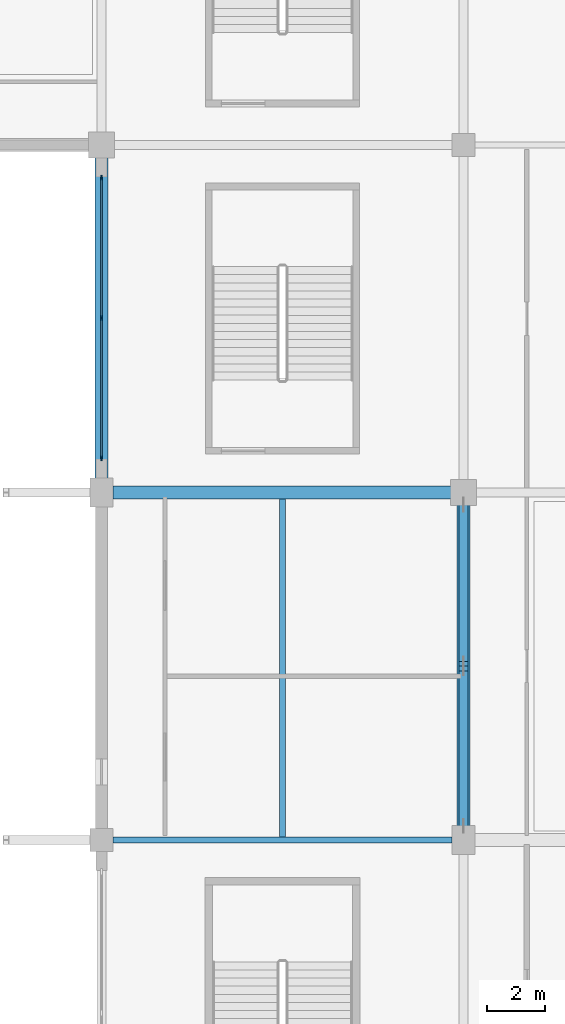
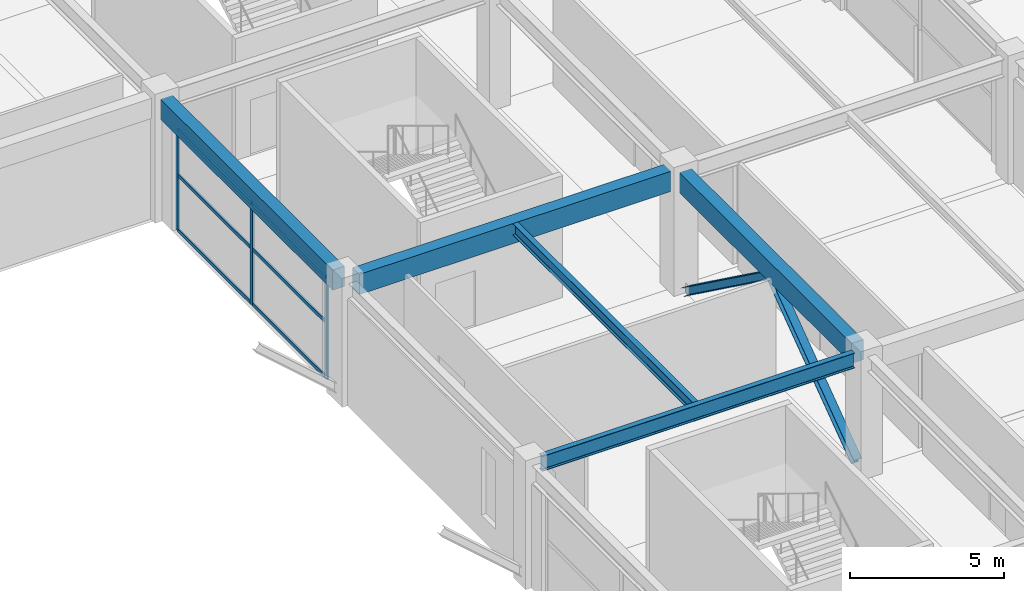
# One storey, part 40 of 116: 11 members, 5 beams, 1 element without a shape of its own.
"""IFC4 building model written with IfcOpenShell, lengths in metres."""

from ifc_helpers import new_model, si_unit, direction, frame, origin, origin_2d, place, context, subcontext, project, spatial, rectangle, i_section, extrude, material, layer, layer_set, material_profile, profile_set, type_object, element, aggregate, save


model = new_model("IFC4")

# Units and contexts
model_context = context("Model", 3, precision=1e-05, world=origin(), true_north=direction((0.0, 1.0)))
body_context = subcontext(model_context, "Body", "Model", "MODEL_VIEW")
ifc_project = project(units=[si_unit("LENGTHUNIT", "METRE"), si_unit("AREAUNIT", "SQUARE_METRE"), si_unit("VOLUMEUNIT", "CUBIC_METRE"), si_unit("PLANEANGLEUNIT", "RADIAN"), si_unit("MASSUNIT", "GRAM", prefix="KILO")], contexts=[model_context])

# Site, building, storey
site_placement = place(None, origin())
site = spatial("IfcSite", under=ifc_project, at=site_placement, CompositionType="ELEMENT")
building_placement = place(site_placement, origin())
building = spatial("IfcBuilding", under=site, at=building_placement, Name="Kazenohara Klinker Stadium", CompositionType="ELEMENT")
storey_placement = place(building_placement, frame((0.0, 0.0, 10.199951171875)))
storey = spatial("IfcBuildingStorey", under=building, at=storey_placement, Name="L02", CompositionType="ELEMENT", Elevation=10.199951171875)

# Beams
ifc_material_1 = material(Name="Steel S355", Category="steel")
ifc_material_profile_1 = material_profile(ifc_material_1, i_section(OverallWidth=0.199951171875, OverallDepth=0.449951171875, WebThickness=0.009033203125, FlangeThickness=0.013916015625, FilletRadius=0.012939453125, at=origin_2d()), Name="H-450x200x9x14")
ifc_profile_set_1 = profile_set([ifc_material_profile_1], Name="Steel S355")
beam_type_1 = type_object("IfcBeamType", Name="BM-JST02", PredefinedType="JOIST", material=ifc_profile_set_1)
beam_1_placement = place(storey_placement, frame((181.25, 108.10009765625, 4.594970703125), z_axis=(0.0, 1.0, 0.0), x_axis=(-1.0, 0.0, 0.0)))
element("IfcBeam", 1, at=beam_1_placement, inside=storey, type_object=beam_type_1, Name="Secondary floor joist SJ02 L02 15/K", PredefinedType="JOIST", context=body_context, shape_type="SweptSolid", body=[
    extrude(i_section(OverallWidth=0.199951171875, OverallDepth=0.449951171875, WebThickness=0.009033203125, FlangeThickness=0.013916015625, FilletRadius=0.012939453125, at=origin_2d()), origin(), (0.0, 0.0, 1.0), 11.6748046875),
])
ifc_material_2 = material(Name="Concrete C40/50", Category="concrete")
ifc_material_profile_2 = material_profile(ifc_material_2, rectangle(XDim=0.449951171875, YDim=0.800048828125, at=origin_2d()), Name="RC-BM-450x800")
ifc_profile_set_2 = profile_set([ifc_material_profile_2], Name="Concrete C40/50")
beam_type_2 = type_object("IfcBeamType", Name="BM-RC03", PredefinedType="BEAM", material=ifc_profile_set_2)
beam_2_placement = place(storey_placement, frame((175.39990234375, 120.0, 4.420166015625), z_axis=(1.0, 0.0, 0.0), x_axis=(0.0, 1.0, 0.0)))
element("IfcBeam", 2, at=beam_2_placement, inside=storey, type_object=beam_type_2, Name="Primary girder BG03 L02 15-16/L", PredefinedType="BEAM", context=body_context, shape_type="SweptSolid", body=[
    extrude(rectangle(XDim=0.449951171875, YDim=0.800048828125, at=origin_2d()), origin(), (0.0, 0.0, 1.0), 11.68017578125),
])
for number, where, z_axis, x_axis, name in (
    (3, (175.0, 120.419921875, 4.420166015625), (0.0, 1.0, 0.0), (-1.0, 0.0, 0.0), "Primary girder BG03 L02 15/L-M"),
    (4, (187.5, 108.419921875, 4.420166015625), (0.0, 1.0, 0.0), (-1.0, 0.0, 0.0), "Primary girder BG03 L02 16/K-L"),
):
    element("IfcBeam", number, at=place(storey_placement, frame(where, z_axis=z_axis, x_axis=x_axis)), inside=storey, type_object=beam_type_2, Name=name, PredefinedType="BEAM", context=body_context, shape_type="SweptSolid", body=[
        extrude(rectangle(XDim=0.449951171875, YDim=0.800048828125, at=origin_2d()), origin(), (0.0, 0.0, 1.0), 11.16015625),
    ])
ifc_material_profile_3 = material_profile(ifc_material_1, i_section(OverallWidth=0.199951171875, OverallDepth=0.60009765625, WebThickness=0.010986328125, FlangeThickness=0.01708984375, FilletRadius=0.012939453125, at=origin_2d()), Name="H-600x200x11x17")
ifc_profile_set_3 = profile_set([ifc_material_profile_3], Name="Steel S355")
beam_type_3 = type_object("IfcBeamType", Name="BM-ST04", PredefinedType="BEAM", material=ifc_profile_set_3)
beam_3_placement = place(storey_placement, frame((175.39990234375, 108.0, 4.52001953125), z_axis=(1.0, 0.0, 0.0), x_axis=(0.0, 1.0, 0.0)))
element("IfcBeam", 5, at=beam_3_placement, inside=storey, type_object=beam_type_3, Name="Primary girder SB04 L02 15-16/K", PredefinedType="BEAM", context=body_context, shape_type="SweptSolid", body=[
    extrude(i_section(OverallWidth=0.199951171875, OverallDepth=0.60009765625, WebThickness=0.010986328125, FlangeThickness=0.01708984375, FilletRadius=0.012939453125, at=origin_2d()), origin(), (0.0, 0.0, 1.0), 11.7001953125),
])

# Curtain wall, members
ifc_material_3 = material(Name="Anodised aluminium and triple glazing", Category="aluminium")
ifc_layer = layer(ifc_material_3, 0.179931640625)
ifc_layer_set = layer_set([ifc_layer], Name="Anodised aluminium and triple glazing")
curtain_wall_type = type_object("IfcCurtainWallType", Name="CW-SYS-02", PredefinedType="USERDEFINED", material=ifc_layer_set)
curtain_wall_placement = place(storey_placement, origin())
curtain_wall = element("IfcCurtainWall", 6, at=curtain_wall_placement, inside=storey, type_object=curtain_wall_type, Name="Unitised facade curtain wall CW02 L02 Y14-10", ObjectType="UNITISED CURTAIN WALL", PredefinedType="USERDEFINED")
ifc_material_4 = material(Name="Anodised aluminium 6063-T6", Category="aluminium")
ifc_material_profile_4 = material_profile(ifc_material_4, rectangle(XDim=0.06494140625, YDim=0.179931640625, at=origin_2d()), Name="ALU-MUL-65x180")
ifc_profile_set_4 = profile_set([ifc_material_profile_4], Name="Anodised aluminium 6063-T6")
member_type_1 = type_object("IfcMemberType", Name="CW-MUL-180", PredefinedType="MULLION", material=ifc_profile_set_4)
member_1_placement = place(storey_placement, frame((175.0, 121.1865234375, 0.0), z_axis=(0.0, 0.0, 1.0), x_axis=(-1.0, 0.0, 0.0)))
member_1 = element("IfcMember", 7, at=member_1_placement, type_object=member_type_1, Name="CW02 mullion 1", PredefinedType="MULLION", context=body_context, shape_type="SweptSolid", body=[
    extrude(rectangle(XDim=0.06494140625, YDim=0.179931640625, at=origin_2d()), origin(), (0.0, 0.0, 1.0), 4.02001953125),
])
member_2_placement = place(storey_placement, frame((175.0, 126.02490234375, 0.0), z_axis=(0.0, 0.0, 1.0), x_axis=(-1.0, 0.0, 0.0)))
member_2 = element("IfcMember", 8, at=member_2_placement, type_object=member_type_1, Name="CW02 mullion 2", PredefinedType="MULLION", context=body_context, shape_type="SweptSolid", body=[
    extrude(rectangle(XDim=0.06494140625, YDim=0.179931640625, at=origin_2d()), origin(), (0.0, 0.0, 1.0), 4.02001953125),
])
member_3_placement = place(storey_placement, frame((175.0, 130.863525390625, 0.0), z_axis=(0.0, 0.0, 1.0), x_axis=(-1.0, 0.0, 0.0)))
member_3 = element("IfcMember", 9, at=member_3_placement, type_object=member_type_1, Name="CW02 mullion 3", PredefinedType="MULLION", context=body_context, shape_type="SweptSolid", body=[
    extrude(rectangle(XDim=0.06494140625, YDim=0.179931640625, at=origin_2d()), origin(), (0.0, 0.0, 1.0), 4.02001953125),
])
ifc_material_profile_5 = material_profile(ifc_material_4, rectangle(XDim=0.06494140625, YDim=0.139892578125, at=origin_2d()), Name="ALU-TRN-65x140")
ifc_profile_set_5 = profile_set([ifc_material_profile_5], Name="Anodised aluminium 6063-T6")
member_type_2 = type_object("IfcMemberType", Name="CW-TRN-140", PredefinedType="USERDEFINED", material=ifc_profile_set_5)
member_4_placement = place(storey_placement, frame((175.0, 121.218994140625, 0.032470703125), z_axis=(0.0, 1.0, 0.0), x_axis=(-1.0, 0.0, 0.0)))
member_4 = element("IfcMember", 10, at=member_4_placement, type_object=member_type_2, Name="CW02 transom 1.1", ObjectType="TRANSOM", PredefinedType="USERDEFINED", context=body_context, shape_type="SweptSolid", body=[
    extrude(rectangle(XDim=0.06494140625, YDim=0.139892578125, at=origin_2d()), origin(), (0.0, 0.0, 1.0), 4.7734375),
])
member_5_placement = place(storey_placement, frame((175.0, 121.218994140625, 2.2109375), z_axis=(0.0, 1.0, 0.0), x_axis=(-1.0, 0.0, 0.0)))
member_5 = element("IfcMember", 11, at=member_5_placement, type_object=member_type_2, Name="CW02 transom 1.2", ObjectType="TRANSOM", PredefinedType="USERDEFINED", context=body_context, shape_type="SweptSolid", body=[
    extrude(rectangle(XDim=0.06494140625, YDim=0.139892578125, at=origin_2d()), origin(), (0.0, 0.0, 1.0), 4.7734375),
])
member_6_placement = place(storey_placement, frame((175.0, 121.218994140625, 3.987548828125), z_axis=(0.0, 1.0, 0.0), x_axis=(-1.0, 0.0, 0.0)))
member_6 = element("IfcMember", 12, at=member_6_placement, type_object=member_type_2, Name="CW02 transom 1.3", ObjectType="TRANSOM", PredefinedType="USERDEFINED", context=body_context, shape_type="SweptSolid", body=[
    extrude(rectangle(XDim=0.06494140625, YDim=0.139892578125, at=origin_2d()), origin(), (0.0, 0.0, 1.0), 4.7734375),
])
member_7_placement = place(storey_placement, frame((175.0, 126.0576171875, 0.032470703125), z_axis=(0.0, 1.0, 0.0), x_axis=(-1.0, 0.0, 0.0)))
member_7 = element("IfcMember", 13, at=member_7_placement, type_object=member_type_2, Name="CW02 transom 2.1", ObjectType="TRANSOM", PredefinedType="USERDEFINED", context=body_context, shape_type="SweptSolid", body=[
    extrude(rectangle(XDim=0.06494140625, YDim=0.139892578125, at=origin_2d()), origin(), (0.0, 0.0, 1.0), 4.7734375),
])
member_8_placement = place(storey_placement, frame((175.0, 126.0576171875, 2.2109375), z_axis=(0.0, 1.0, 0.0), x_axis=(-1.0, 0.0, 0.0)))
member_8 = element("IfcMember", 14, at=member_8_placement, type_object=member_type_2, Name="CW02 transom 2.2", ObjectType="TRANSOM", PredefinedType="USERDEFINED", context=body_context, shape_type="SweptSolid", body=[
    extrude(rectangle(XDim=0.06494140625, YDim=0.139892578125, at=origin_2d()), origin(), (0.0, 0.0, 1.0), 4.7734375),
])
member_9_placement = place(storey_placement, frame((175.0, 126.0576171875, 3.987548828125), z_axis=(0.0, 1.0, 0.0), x_axis=(-1.0, 0.0, 0.0)))
member_9 = element("IfcMember", 15, at=member_9_placement, type_object=member_type_2, Name="CW02 transom 2.3", ObjectType="TRANSOM", PredefinedType="USERDEFINED", context=body_context, shape_type="SweptSolid", body=[
    extrude(rectangle(XDim=0.06494140625, YDim=0.139892578125, at=origin_2d()), origin(), (0.0, 0.0, 1.0), 4.7734375),
])
aggregate(curtain_wall, [member_1, member_2, member_3, member_4, member_5, member_6, member_7, member_8, member_9])

# Members
ifc_material_profile_6 = material_profile(ifc_material_1, i_section(OverallWidth=0.300048828125, OverallDepth=0.300048828125, WebThickness=0.010009765625, FlangeThickness=0.014892578125, FilletRadius=0.012939453125, at=origin_2d()), Name="H-300x300x10x15")
ifc_profile_set_6 = profile_set([ifc_material_profile_6], Name="Steel S355")
member_type_3 = type_object("IfcMemberType", Name="MEM-BRC01", PredefinedType="BRACE", material=ifc_profile_set_6)
member_10_placement = place(storey_placement, frame((187.5, 108.47998046875, 0.050048828125), z_axis=(0.0, 0.806355521265, 0.591431123061), x_axis=(-1.0, 0.0, 0.0)))
element("IfcMember", 16, at=member_10_placement, inside=storey, type_object=member_type_3, Name="Concentric brace BR01 L02 16/K A", PredefinedType="BRACE", context=body_context, shape_type="SweptSolid", body=[
    extrude(i_section(OverallWidth=0.300048828125, OverallDepth=0.300048828125, WebThickness=0.010009765625, FlangeThickness=0.014892578125, FilletRadius=0.012939453125, at=origin_2d()), origin(), (0.0, 0.0, 1.0), 6.746337890625),
])
member_11_placement = place(storey_placement, frame((187.5, 119.570068359375, 0.050048828125), z_axis=(0.0, -0.808927379579, 0.587908576709), x_axis=(1.0, 0.0, 0.0)))
element("IfcMember", 17, at=member_11_placement, inside=storey, type_object=member_type_3, Name="Concentric brace BR01 L02 16/K B", PredefinedType="BRACE", context=body_context, shape_type="SweptSolid", body=[
    extrude(i_section(OverallWidth=0.300048828125, OverallDepth=0.300048828125, WebThickness=0.010009765625, FlangeThickness=0.014892578125, FilletRadius=0.012939453125, at=origin_2d()), origin(), (0.0, 0.0, 1.0), 6.786865234375),
])

save(model, "model.ifc")
